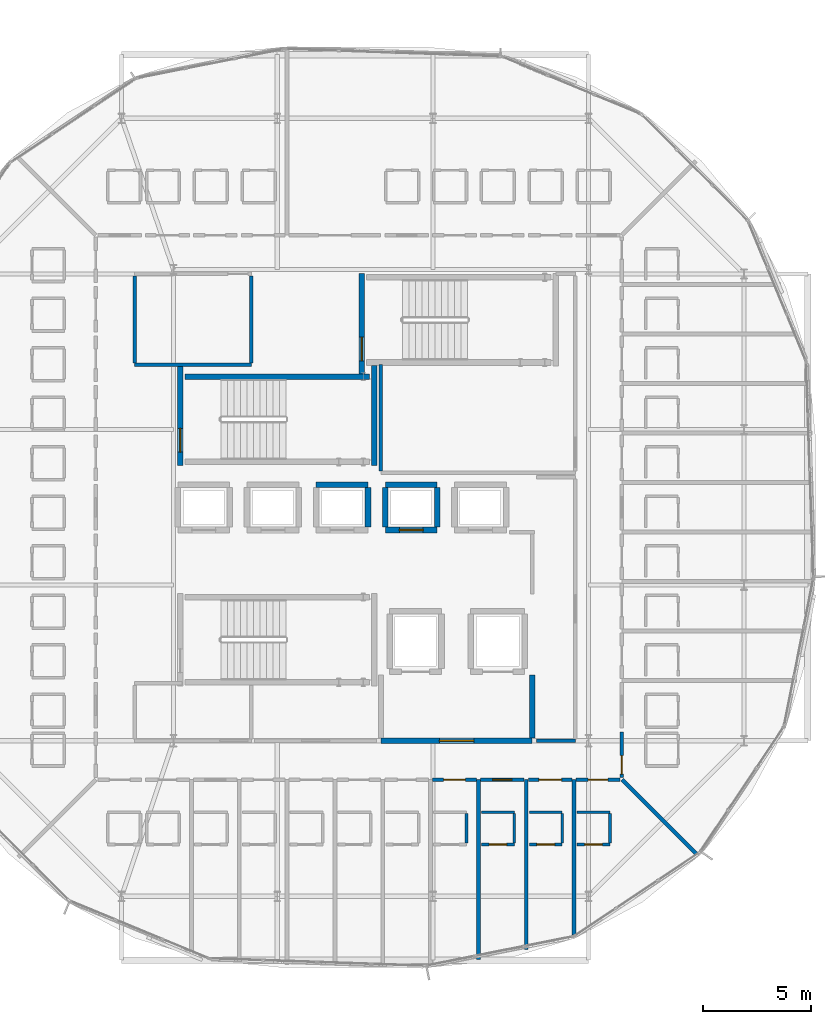
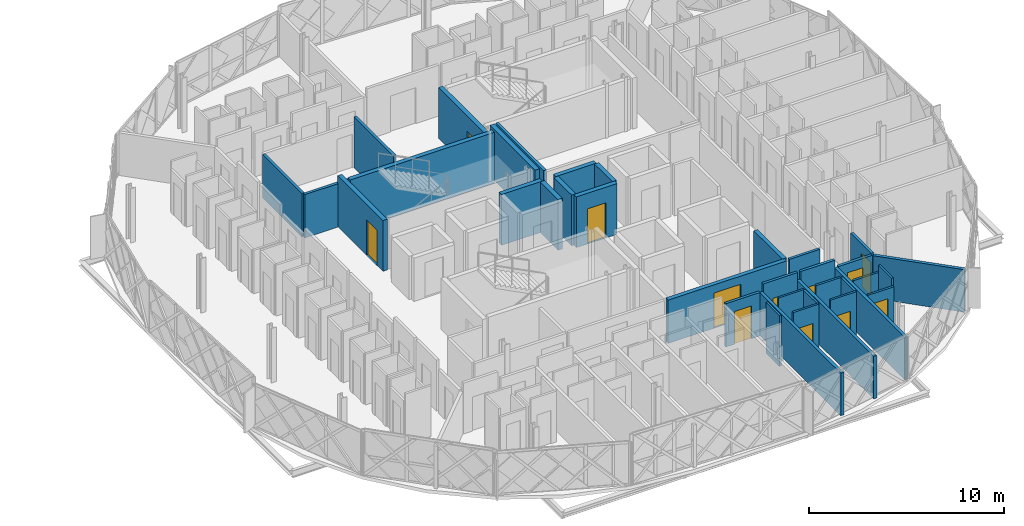
# One storey, part 16 of 25: 36 walls, 12 doors, 12 openings.
"""IFC4 building model written with IfcOpenShell, lengths in metres."""

from ifc_helpers import new_model, si_unit, direction, frame, frame_2d, origin, place, context, subcontext, project, spatial, rectangle, extrude, material, layer, layer_set, type_object, element, fill, save


model = new_model("IFC4")

# Units and contexts
model_context = context("Model", 3, precision=1e-05, world=origin(), true_north=direction((0.0, 1.0)))
body_context = subcontext(model_context, "Body", "Model", "MODEL_VIEW")
ifc_project = project(units=[si_unit("LENGTHUNIT", "METRE"), si_unit("AREAUNIT", "SQUARE_METRE"), si_unit("VOLUMEUNIT", "CUBIC_METRE"), si_unit("PLANEANGLEUNIT", "RADIAN"), si_unit("MASSUNIT", "GRAM", prefix="KILO")], contexts=[model_context])

# Site, building, storey
site_placement = place(None, origin())
site = spatial("IfcSite", under=ifc_project, at=site_placement, CompositionType="ELEMENT")
building_placement = place(site_placement, origin())
building = spatial("IfcBuilding", under=site, at=building_placement, Name="Zevrakil Square Congress Hotel", CompositionType="ELEMENT")
storey_placement = place(building_placement, frame((0.0, 0.0, 28.300048828125)))
storey = spatial("IfcBuildingStorey", under=building, at=storey_placement, Name="L08", CompositionType="ELEMENT", Elevation=28.300048828125)

# Wall, opening, door
ifc_material_1 = material(Name="Concrete C35/45", Category="concrete")
ifc_layer_1 = layer(ifc_material_1, 0.239990234375)
ifc_layer_set_1 = layer_set([ifc_layer_1], Name="Concrete C35/45")
wall_type_1 = type_object("IfcWallType", Name="WAL-COMP-240", PredefinedType="SOLIDWALL", material=ifc_layer_set_1)
wall_1_placement = place(storey_placement, frame((146.39990234375, 16.800048828125, 0.0), z_axis=(0.0, 0.0, 1.0), x_axis=(1.0, 0.0, 0.0)))
wall_1 = element("IfcWall", 1, at=wall_1_placement, inside=storey, type_object=wall_type_1, Name="L08 interior partition PW-L08-1111", PredefinedType="SOLIDWALL", context=body_context, shape_type="SweptSolid", body=[
    extrude(rectangle(XDim=7.0, YDim=0.239990234375, at=frame_2d((3.5, 0.0))), origin(), (0.0, 0.0, 1.0), 2.7099609375),
])
opening_1_placement = place(wall_1_placement, frame((2.699951171875, 0.0, 0.0)))
opening_1 = element("IfcOpeningElement", 2, at=opening_1_placement, cuts=wall_1, Name="Opening FD90-D", PredefinedType="OPENING", context=body_context, shape_type="SweptSolid", body=[
    extrude(rectangle(XDim=1.60009765625, YDim=2.199951171875, at=frame_2d((0.800048828125, 1.10009765625))), frame((0.0, 0.1298828125, 0.0), z_axis=(0.0, -1.0, 0.0), x_axis=(1.0, 0.0, 0.0)), (0.0, 0.0, 1.0), 0.260009765625),
])
ifc_material_2 = material(Name="Steel S355 Double Fire Door", Category="steel")
door_type_1 = type_object("IfcDoorType", Name="DOR-FFLOB-FD90-160", OperationType="NOTDEFINED", PredefinedType="DOOR", material=ifc_material_2)
door_1_placement = place(opening_1_placement, origin())
door_1 = element("IfcDoor", 3, at=door_1_placement, inside=storey, type_object=door_type_1, Name="L08 interior door 436", OperationType="DOUBLE_DOOR_SINGLE_SWING", OverallHeight=2.199951171875, OverallWidth=1.60009765625, PredefinedType="DOOR", context=body_context, shape_type="SweptSolid", body=[
    extrude(rectangle(XDim=1.60009765625, YDim=2.199951171875, at=frame_2d((0.800048828125, 1.10009765625))), frame((0.0, 0.02490234375, 0.0), z_axis=(0.0, -1.0, 0.0), x_axis=(1.0, 0.0, 0.0)), (0.0, 0.0, 1.0), 0.050048828125),
])
fill(opening_1, door_1)

# Walls
wall_2_placement = place(storey_placement, frame((153.39990234375, 16.925048828125, 0.0), z_axis=(0.0, 0.0, 1.0), x_axis=(0.0, 1.0, 0.0)))
element("IfcWall", 4, at=wall_2_placement, inside=storey, type_object=wall_type_1, Name="L08 interior partition PW-L08-1113", PredefinedType="SOLIDWALL", context=body_context, shape_type="SweptSolid", body=[
    extrude(rectangle(XDim=2.925048828125, YDim=0.239990234375, at=frame_2d((1.46240234375, 0.0))), origin(), (0.0, 0.0, 1.0), 2.7099609375),
])
ifc_material_3 = material(Name="Gypsum Acoustic Stud Partition")
ifc_layer_2 = layer(ifc_material_3, 0.159912109375)
ifc_layer_set_2 = layer_set([ifc_layer_2], Name="Gypsum Acoustic Stud Partition")
wall_type_2 = type_object("IfcWallType", Name="WAL-CORR-160", PredefinedType="PARTITIONING", material=ifc_layer_set_2)
wall_3_placement = place(storey_placement, frame((135.0, 34.199951171875, 0.0), z_axis=(0.0, 0.0, 1.0), x_axis=(1.0, 0.0, 0.0)))
element("IfcWall", 5, at=wall_3_placement, inside=storey, type_object=wall_type_2, Name="L08 interior partition PW-L08-1119", PredefinedType="PARTITIONING", context=body_context, shape_type="SweptSolid", body=[
    extrude(rectangle(XDim=5.39990234375, YDim=0.159912109375, at=frame_2d((2.699951171875, 0.0))), origin(), (0.0, 0.0, 1.0), 2.7099609375),
])
wall_4_placement = place(storey_placement, frame((135.0, 34.284912109375, 0.0), z_axis=(0.0, 0.0, 1.0), x_axis=(0.0, 1.0, 0.0)))
element("IfcWall", 6, at=wall_4_placement, inside=storey, type_object=wall_type_2, Name="L08 interior partition PW-L08-1121", PredefinedType="PARTITIONING", context=body_context, shape_type="SweptSolid", body=[
    extrude(rectangle(XDim=4.030029296875, YDim=0.159912109375, at=frame_2d((2.01513671875, 0.0))), origin(), (0.0, 0.0, 1.0), 2.7099609375),
])
wall_5_placement = place(storey_placement, frame((140.39990234375, 34.284912109375, 0.0), z_axis=(0.0, 0.0, 1.0), x_axis=(0.0, 1.0, 0.0)))
element("IfcWall", 7, at=wall_5_placement, inside=storey, type_object=wall_type_2, Name="L08 interior partition PW-L08-1122", PredefinedType="PARTITIONING", context=body_context, shape_type="SweptSolid", body=[
    extrude(rectangle(XDim=4.030029296875, YDim=0.159912109375, at=frame_2d((2.01513671875, 0.0))), origin(), (0.0, 0.0, 1.0), 3.175048828125),
])
wall_6_placement = place(storey_placement, frame((146.39990234375, 29.284912109375, 0.0), z_axis=(0.0, 0.0, 1.0), x_axis=(0.0, 1.0, 0.0)))
element("IfcWall", 8, at=wall_6_placement, inside=storey, type_object=wall_type_2, Name="L08 interior partition PW-L08-1124", PredefinedType="PARTITIONING", context=body_context, shape_type="SweptSolid", body=[
    extrude(rectangle(XDim=4.9150390625, YDim=0.159912109375, at=frame_2d((2.45751953125, 0.0))), origin(), (0.0, 0.0, 1.0), 3.175048828125),
])
wall_7_placement = place(storey_placement, frame((153.60009765625, 16.800048828125, 0.0), z_axis=(0.0, 0.0, 1.0), x_axis=(1.0, 0.0, 0.0)))
element("IfcWall", 9, at=wall_7_placement, inside=storey, type_object=wall_type_2, Name="L08 interior partition PW-L08-1127", PredefinedType="PARTITIONING", context=body_context, shape_type="SweptSolid", body=[
    extrude(rectangle(XDim=1.7998046875, YDim=0.159912109375, at=frame_2d((0.89990234375, 0.0))), origin(), (0.0, 0.0, 1.0), 2.7099609375),
])

# Wall, opening, door
wall_8_placement = place(storey_placement, frame((148.79052734375, 15.0, 0.0), z_axis=(0.0, 0.0, 1.0), x_axis=(1.0, 0.0, 0.0)))
wall_8 = element("IfcWall", 10, at=wall_8_placement, inside=storey, type_object=wall_type_2, Name="L08 interior partition PW-L08-1170", PredefinedType="PARTITIONING", context=body_context, shape_type="SweptSolid", body=[
    extrude(rectangle(XDim=2.023681640625, YDim=0.159912109375, at=frame_2d((1.01171875, 0.0))), origin(), (0.0, 0.0, 1.0), 2.7099609375),
])
opening_2_placement = place(wall_8_placement, frame((0.50927734375, 0.0, 0.0)))
opening_2 = element("IfcOpeningElement", 11, at=opening_2_placement, cuts=wall_8, Name="Opening ID-G07", PredefinedType="OPENING", context=body_context, shape_type="SweptSolid", body=[
    extrude(rectangle(XDim=1.0048828125, YDim=2.050048828125, at=frame_2d((0.50244140625, 1.02490234375))), frame((0.0, 0.08984375, 0.0), z_axis=(0.0, -1.0, 0.0), x_axis=(1.0, 0.0, 0.0)), (0.0, 0.0, 1.0), 0.179931640625),
])
ifc_material_4 = material(Name="Acoustic Timber Fire Door", Category="wood")
door_type_2 = type_object("IfcDoorType", Name="DOR-INT-G07", OperationType="NOTDEFINED", PredefinedType="DOOR", material=ifc_material_4)
door_2_placement = place(opening_2_placement, origin())
door_2 = element("IfcDoor", 12, at=door_2_placement, inside=storey, type_object=door_type_2, Name="L08 interior door 457", OperationType="SINGLE_SWING_LEFT", OverallHeight=2.050048828125, OverallWidth=1.0048828125, PredefinedType="DOOR", context=body_context, shape_type="SweptSolid", body=[
    extrude(rectangle(XDim=1.0048828125, YDim=2.050048828125, at=frame_2d((0.50244140625, 1.02490234375))), frame((0.0, 0.02490234375, 0.0), z_axis=(0.0, -1.0, 0.0), x_axis=(1.0, 0.0, 0.0)), (0.0, 0.0, 1.0), 0.050048828125),
])
fill(opening_2, door_2)

wall_9_placement = place(storey_placement, frame((151.004150390625, 15.0, 0.0), z_axis=(0.0, 0.0, 1.0), x_axis=(1.0, 0.0, 0.0)))
wall_9 = element("IfcWall", 13, at=wall_9_placement, inside=storey, type_object=wall_type_2, Name="L08 interior partition PW-L08-1175", PredefinedType="PARTITIONING", context=body_context, shape_type="SweptSolid", body=[
    extrude(rectangle(XDim=2.0234375, YDim=0.159912109375, at=frame_2d((1.01171875, 0.0))), origin(), (0.0, 0.0, 1.0), 3.175048828125),
])
opening_3_placement = place(wall_9_placement, frame((0.56787109375, 0.0, 0.0)))
opening_3 = element("IfcOpeningElement", 14, at=opening_3_placement, cuts=wall_9, Name="Opening ID-H04", PredefinedType="OPENING", context=body_context, shape_type="SweptSolid", body=[
    extrude(rectangle(XDim=0.887939453125, YDim=2.070068359375, at=frame_2d((0.44384765625, 1.03515625))), frame((0.0, 0.08984375, 0.0), z_axis=(0.0, -1.0, 0.0), x_axis=(1.0, 0.0, 0.0)), (0.0, 0.0, 1.0), 0.179931640625),
])
ifc_material_5 = material(Name="Acoustic Timber Fire Door", Category="wood")
door_type_3 = type_object("IfcDoorType", Name="DOR-INT-H04", OperationType="NOTDEFINED", PredefinedType="DOOR", material=ifc_material_5)
door_3_placement = place(opening_3_placement, origin())
door_3 = element("IfcDoor", 15, at=door_3_placement, inside=storey, type_object=door_type_3, Name="L08 interior door 459", OperationType="SINGLE_SWING_LEFT", OverallHeight=2.070068359375, OverallWidth=0.887939453125, PredefinedType="DOOR", context=body_context, shape_type="SweptSolid", body=[
    extrude(rectangle(XDim=0.887939453125, YDim=2.070068359375, at=frame_2d((0.44384765625, 1.03515625))), frame((0.0, 0.02490234375, 0.0), z_axis=(0.0, -1.0, 0.0), x_axis=(1.0, 0.0, 0.0)), (0.0, 0.0, 1.0), 0.050048828125),
])
fill(opening_3, door_3)

wall_10_placement = place(storey_placement, frame((153.2177734375, 15.0, 0.0), z_axis=(0.0, 0.0, 1.0), x_axis=(1.0, 0.0, 0.0)))
wall_10 = element("IfcWall", 16, at=wall_10_placement, inside=storey, type_object=wall_type_2, Name="L08 interior partition PW-L08-1180", PredefinedType="PARTITIONING", context=body_context, shape_type="SweptSolid", body=[
    extrude(rectangle(XDim=2.023681640625, YDim=0.159912109375, at=frame_2d((1.01171875, 0.0))), origin(), (0.0, 0.0, 1.0), 3.175048828125),
])
opening_4_placement = place(wall_10_placement, frame((0.484375, 0.0, 0.0)))
opening_4 = element("IfcOpeningElement", 17, at=opening_4_placement, cuts=wall_10, Name="Opening ID-G09", PredefinedType="OPENING", context=body_context, shape_type="SweptSolid", body=[
    extrude(rectangle(XDim=1.054931640625, YDim=2.050048828125, at=frame_2d((0.52734375, 1.02490234375))), frame((0.0, 0.08984375, 0.0), z_axis=(0.0, -1.0, 0.0), x_axis=(1.0, 0.0, 0.0)), (0.0, 0.0, 1.0), 0.179931640625),
])
ifc_material_6 = material(Name="Acoustic Timber Fire Door", Category="wood")
door_type_4 = type_object("IfcDoorType", Name="DOR-INT-G09", OperationType="NOTDEFINED", PredefinedType="DOOR", material=ifc_material_6)
door_4_placement = place(opening_4_placement, origin())
door_4 = element("IfcDoor", 18, at=door_4_placement, inside=storey, type_object=door_type_4, Name="L08 interior door 461", OperationType="SINGLE_SWING_LEFT", OverallHeight=2.050048828125, OverallWidth=1.054931640625, PredefinedType="DOOR", context=body_context, shape_type="SweptSolid", body=[
    extrude(rectangle(XDim=1.054931640625, YDim=2.050048828125, at=frame_2d((0.52734375, 1.02490234375))), frame((0.0, 0.02490234375, 0.0), z_axis=(0.0, -1.0, 0.0), x_axis=(1.0, 0.0, 0.0)), (0.0, 0.0, 1.0), 0.050048828125),
])
fill(opening_4, door_4)

wall_11_placement = place(storey_placement, frame((155.431396484375, 15.0, 0.0), z_axis=(0.0, 0.0, 1.0), x_axis=(1.0, 0.0, 0.0)))
wall_11 = element("IfcWall", 19, at=wall_11_placement, inside=storey, type_object=wall_type_2, Name="L08 interior partition PW-L08-1185", PredefinedType="PARTITIONING", context=body_context, shape_type="SweptSolid", body=[
    extrude(rectangle(XDim=2.023681640625, YDim=0.159912109375, at=frame_2d((1.01171875, 0.0))), origin(), (0.0, 0.0, 1.0), 2.7099609375),
])
opening_5_placement = place(wall_11_placement, frame((0.555908203125, 0.0, 0.0)))
opening_5 = element("IfcOpeningElement", 20, at=opening_5_placement, cuts=wall_11, Name="Opening ID-H06", PredefinedType="OPENING", context=body_context, shape_type="SweptSolid", body=[
    extrude(rectangle(XDim=0.912109375, YDim=2.1298828125, at=frame_2d((0.4560546875, 1.06494140625))), frame((0.0, 0.08984375, 0.0), z_axis=(0.0, -1.0, 0.0), x_axis=(1.0, 0.0, 0.0)), (0.0, 0.0, 1.0), 0.179931640625),
])
ifc_material_7 = material(Name="Acoustic Timber Fire Door", Category="wood")
door_type_5 = type_object("IfcDoorType", Name="DOR-INT-H06", OperationType="NOTDEFINED", PredefinedType="DOOR", material=ifc_material_7)
door_5_placement = place(opening_5_placement, origin())
door_5 = element("IfcDoor", 21, at=door_5_placement, inside=storey, type_object=door_type_5, Name="L08 interior door 463", OperationType="SINGLE_SWING_LEFT", OverallHeight=2.1298828125, OverallWidth=0.912109375, PredefinedType="DOOR", context=body_context, shape_type="SweptSolid", body=[
    extrude(rectangle(XDim=0.912109375, YDim=2.1298828125, at=frame_2d((0.4560546875, 1.06494140625))), frame((0.0, 0.02490234375, 0.0), z_axis=(0.0, -1.0, 0.0), x_axis=(1.0, 0.0, 0.0)), (0.0, 0.0, 1.0), 0.050048828125),
])
fill(opening_5, door_5)

wall_12_placement = place(storey_placement, frame((157.550048828125, 15.094970703125, 0.0), z_axis=(0.0, 0.0, 1.0), x_axis=(0.0, 1.0, 0.0)))
wall_12 = element("IfcWall", 22, at=wall_12_placement, inside=storey, type_object=wall_type_2, Name="L08 interior partition PW-L08-1190", PredefinedType="PARTITIONING", context=body_context, shape_type="SweptSolid", body=[
    extrude(rectangle(XDim=2.100830078125, YDim=0.159912109375, at=frame_2d((1.05029296875, 0.0))), origin(), (0.0, 0.0, 1.0), 2.7099609375),
])
opening_6_placement = place(wall_12_placement, frame((0.159912109375, 0.0, 0.0)))
opening_6 = element("IfcOpeningElement", 23, at=opening_6_placement, cuts=wall_12, Name="Opening ID-G01", PredefinedType="OPENING", context=body_context, shape_type="SweptSolid", body=[
    extrude(rectangle(XDim=0.85498046875, YDim=2.050048828125, at=frame_2d((0.427490234375, 1.02490234375))), frame((0.0, 0.08984375, 0.0), z_axis=(0.0, -1.0, 0.0), x_axis=(1.0, 0.0, 0.0)), (0.0, 0.0, 1.0), 0.179931640625),
])
ifc_material_8 = material(Name="Acoustic Timber Fire Door", Category="wood")
door_type_6 = type_object("IfcDoorType", Name="DOR-INT-G01", OperationType="NOTDEFINED", PredefinedType="DOOR", material=ifc_material_8)
door_6_placement = place(opening_6_placement, origin())
door_6 = element("IfcDoor", 24, at=door_6_placement, inside=storey, type_object=door_type_6, Name="L08 interior door 465", OperationType="SINGLE_SWING_LEFT", OverallHeight=2.050048828125, OverallWidth=0.85498046875, PredefinedType="DOOR", context=body_context, shape_type="SweptSolid", body=[
    extrude(rectangle(XDim=0.85498046875, YDim=2.050048828125, at=frame_2d((0.427490234375, 1.02490234375))), frame((0.0, 0.02490234375, 0.0), z_axis=(0.0, -1.0, 0.0), x_axis=(1.0, 0.0, 0.0)), (0.0, 0.0, 1.0), 0.050048828125),
])
fill(opening_6, door_6)

# Wall
ifc_material_9 = material(Name="Moisture-Resistant Gypsum Partition")
ifc_layer_3 = layer(ifc_material_9, 0.1201171875)
ifc_layer_set_3 = layer_set([ifc_layer_3], Name="Moisture-Resistant Gypsum Partition")
wall_type_3 = type_object("IfcWallType", Name="WAL-ENS-120", PredefinedType="PARTITIONING", material=ifc_layer_set_3)
wall_13_placement = place(storey_placement, frame((150.35546875, 12.06494140625, 0.0), z_axis=(0.0, 0.0, 1.0), x_axis=(0.0, 1.0, 0.0)))
element("IfcWall", 25, at=wall_13_placement, inside=storey, type_object=wall_type_3, Name="L08 interior partition PW-L08-1173", PredefinedType="PARTITIONING", context=body_context, shape_type="SweptSolid", body=[
    extrude(rectangle(XDim=1.3701171875, YDim=0.1201171875, at=frame_2d((0.68505859375, 0.0))), origin(), (0.0, 0.0, 1.0), 3.175048828125),
])

# Wall, opening, door
wall_14_placement = place(storey_placement, frame((151.049072265625, 12.0, 0.0), z_axis=(0.0, 0.0, 1.0), x_axis=(1.0, 0.0, 0.0)))
wall_14 = element("IfcWall", 26, at=wall_14_placement, inside=storey, type_object=wall_type_3, Name="L08 interior partition PW-L08-1176", PredefinedType="PARTITIONING", context=body_context, shape_type="SweptSolid", body=[
    extrude(rectangle(XDim=1.52001953125, YDim=0.1201171875, at=frame_2d((0.760009765625, 0.0))), origin(), (0.0, 0.0, 1.0), 3.175048828125),
])
opening_7_placement = place(wall_14_placement, frame((0.35009765625, 0.0, 0.0)))
opening_7 = element("IfcOpeningElement", 27, at=opening_7_placement, cuts=wall_14, Name="Opening ID-11", PredefinedType="OPENING", context=body_context, shape_type="SweptSolid", body=[
    extrude(rectangle(XDim=0.820068359375, YDim=2.080078125, at=frame_2d((0.41015625, 1.0400390625))), frame((0.0, 0.070068359375, 0.0), z_axis=(0.0, -1.0, 0.0), x_axis=(1.0, 0.0, 0.0)), (0.0, 0.0, 1.0), 0.14013671875),
])
ifc_material_10 = material(Name="Acoustic Timber Door", Category="wood")
door_type_7 = type_object("IfcDoorType", Name="DOR-INT-V01", OperationType="NOTDEFINED", PredefinedType="DOOR", material=ifc_material_10)
door_7_placement = place(opening_7_placement, origin())
door_7 = element("IfcDoor", 28, at=door_7_placement, inside=storey, type_object=door_type_7, Name="L08 interior door 460", OperationType="SINGLE_SWING_RIGHT", OverallHeight=2.080078125, OverallWidth=0.820068359375, PredefinedType="DOOR", context=body_context, shape_type="SweptSolid", body=[
    extrude(rectangle(XDim=0.820068359375, YDim=2.080078125, at=frame_2d((0.41015625, 1.0400390625))), frame((0.0, 0.02490234375, 0.0), z_axis=(0.0, -1.0, 0.0), x_axis=(1.0, 0.0, 0.0)), (0.0, 0.0, 1.0), 0.050048828125),
])
fill(opening_7, door_7)

# Walls
wall_15_placement = place(storey_placement, frame((151.049072265625, 13.5, 0.0), z_axis=(0.0, 0.0, 1.0), x_axis=(1.0, 0.0, 0.0)))
element("IfcWall", 29, at=wall_15_placement, inside=storey, type_object=wall_type_3, Name="L08 interior partition PW-L08-1177", PredefinedType="PARTITIONING", context=body_context, shape_type="SweptSolid", body=[
    extrude(rectangle(XDim=1.52001953125, YDim=0.1201171875, at=frame_2d((0.760009765625, 0.0))), origin(), (0.0, 0.0, 1.0), 3.175048828125),
])
wall_16_placement = place(storey_placement, frame((152.569091796875, 12.06494140625, 0.0), z_axis=(0.0, 0.0, 1.0), x_axis=(0.0, 1.0, 0.0)))
element("IfcWall", 30, at=wall_16_placement, inside=storey, type_object=wall_type_3, Name="L08 interior partition PW-L08-1178", PredefinedType="PARTITIONING", context=body_context, shape_type="SweptSolid", body=[
    extrude(rectangle(XDim=1.3701171875, YDim=0.1201171875, at=frame_2d((0.68505859375, 0.0))), origin(), (0.0, 0.0, 1.0), 3.175048828125),
])

# Wall, opening, door
wall_17_placement = place(storey_placement, frame((153.2626953125, 12.0, 0.0), z_axis=(0.0, 0.0, 1.0), x_axis=(1.0, 0.0, 0.0)))
wall_17 = element("IfcWall", 31, at=wall_17_placement, inside=storey, type_object=wall_type_3, Name="L08 interior partition PW-L08-1181", PredefinedType="PARTITIONING", context=body_context, shape_type="SweptSolid", body=[
    extrude(rectangle(XDim=1.52001953125, YDim=0.1201171875, at=frame_2d((0.760009765625, 0.0))), origin(), (0.0, 0.0, 1.0), 3.175048828125),
])
opening_8_placement = place(wall_17_placement, frame((0.35009765625, 0.0, 0.0)))
opening_8 = element("IfcOpeningElement", 32, at=opening_8_placement, cuts=wall_17, Name="Opening ID-11", PredefinedType="OPENING", context=body_context, shape_type="SweptSolid", body=[
    extrude(rectangle(XDim=0.820068359375, YDim=2.080078125, at=frame_2d((0.41015625, 1.0400390625))), frame((0.0, 0.070068359375, 0.0), z_axis=(0.0, -1.0, 0.0), x_axis=(1.0, 0.0, 0.0)), (0.0, 0.0, 1.0), 0.14013671875),
])
door_8_placement = place(opening_8_placement, origin())
door_8 = element("IfcDoor", 33, at=door_8_placement, inside=storey, type_object=door_type_7, Name="L08 interior door 462", OperationType="SINGLE_SWING_RIGHT", OverallHeight=2.080078125, OverallWidth=0.820068359375, PredefinedType="DOOR", context=body_context, shape_type="SweptSolid", body=[
    extrude(rectangle(XDim=0.820068359375, YDim=2.080078125, at=frame_2d((0.41015625, 1.0400390625))), frame((0.0, 0.02490234375, 0.0), z_axis=(0.0, -1.0, 0.0), x_axis=(1.0, 0.0, 0.0)), (0.0, 0.0, 1.0), 0.050048828125),
])
fill(opening_8, door_8)

# Walls
wall_18_placement = place(storey_placement, frame((153.2626953125, 13.5, 0.0), z_axis=(0.0, 0.0, 1.0), x_axis=(1.0, 0.0, 0.0)))
element("IfcWall", 34, at=wall_18_placement, inside=storey, type_object=wall_type_3, Name="L08 interior partition PW-L08-1182", PredefinedType="PARTITIONING", context=body_context, shape_type="SweptSolid", body=[
    extrude(rectangle(XDim=1.52001953125, YDim=0.1201171875, at=frame_2d((0.760009765625, 0.0))), origin(), (0.0, 0.0, 1.0), 3.175048828125),
])
wall_19_placement = place(storey_placement, frame((154.78271484375, 12.06494140625, 0.0), z_axis=(0.0, 0.0, 1.0), x_axis=(0.0, 1.0, 0.0)))
element("IfcWall", 35, at=wall_19_placement, inside=storey, type_object=wall_type_3, Name="L08 interior partition PW-L08-1183", PredefinedType="PARTITIONING", context=body_context, shape_type="SweptSolid", body=[
    extrude(rectangle(XDim=1.3701171875, YDim=0.1201171875, at=frame_2d((0.68505859375, 0.0))), origin(), (0.0, 0.0, 1.0), 3.175048828125),
])

# Wall, opening, door
wall_20_placement = place(storey_placement, frame((155.476318359375, 12.0, 0.0), z_axis=(0.0, 0.0, 1.0), x_axis=(1.0, 0.0, 0.0)))
wall_20 = element("IfcWall", 36, at=wall_20_placement, inside=storey, type_object=wall_type_3, Name="L08 interior partition PW-L08-1186", PredefinedType="PARTITIONING", context=body_context, shape_type="SweptSolid", body=[
    extrude(rectangle(XDim=1.52001953125, YDim=0.1201171875, at=frame_2d((0.760009765625, 0.0))), origin(), (0.0, 0.0, 1.0), 2.7099609375),
])
opening_9_placement = place(wall_20_placement, frame((0.35009765625, 0.0, 0.0)))
opening_9 = element("IfcOpeningElement", 37, at=opening_9_placement, cuts=wall_20, Name="Opening ID-11", PredefinedType="OPENING", context=body_context, shape_type="SweptSolid", body=[
    extrude(rectangle(XDim=0.820068359375, YDim=2.080078125, at=frame_2d((0.41015625, 1.0400390625))), frame((0.0, 0.070068359375, 0.0), z_axis=(0.0, -1.0, 0.0), x_axis=(1.0, 0.0, 0.0)), (0.0, 0.0, 1.0), 0.14013671875),
])
door_9_placement = place(opening_9_placement, origin())
door_9 = element("IfcDoor", 38, at=door_9_placement, inside=storey, type_object=door_type_7, Name="L08 interior door 464", OperationType="SINGLE_SWING_RIGHT", OverallHeight=2.080078125, OverallWidth=0.820068359375, PredefinedType="DOOR", context=body_context, shape_type="SweptSolid", body=[
    extrude(rectangle(XDim=0.820068359375, YDim=2.080078125, at=frame_2d((0.41015625, 1.0400390625))), frame((0.0, 0.02490234375, 0.0), z_axis=(0.0, -1.0, 0.0), x_axis=(1.0, 0.0, 0.0)), (0.0, 0.0, 1.0), 0.050048828125),
])
fill(opening_9, door_9)

# Walls
wall_21_placement = place(storey_placement, frame((155.476318359375, 13.5, 0.0), z_axis=(0.0, 0.0, 1.0), x_axis=(1.0, 0.0, 0.0)))
element("IfcWall", 39, at=wall_21_placement, inside=storey, type_object=wall_type_3, Name="L08 interior partition PW-L08-1187", PredefinedType="PARTITIONING", context=body_context, shape_type="SweptSolid", body=[
    extrude(rectangle(XDim=1.52001953125, YDim=0.1201171875, at=frame_2d((0.760009765625, 0.0))), origin(), (0.0, 0.0, 1.0), 2.7099609375),
])
wall_22_placement = place(storey_placement, frame((156.996337890625, 12.06494140625, 0.0), z_axis=(0.0, 0.0, 1.0), x_axis=(0.0, 1.0, 0.0)))
element("IfcWall", 40, at=wall_22_placement, inside=storey, type_object=wall_type_3, Name="L08 interior partition PW-L08-1188", PredefinedType="PARTITIONING", context=body_context, shape_type="SweptSolid", body=[
    extrude(rectangle(XDim=1.3701171875, YDim=0.1201171875, at=frame_2d((0.68505859375, 0.0))), origin(), (0.0, 0.0, 1.0), 3.175048828125),
])
ifc_material_11 = material(Name="Gypsum Twin-Stud Party Partition")
ifc_layer_4 = layer(ifc_material_11, 0.179931640625)
ifc_layer_set_4 = layer_set([ifc_layer_4], Name="Gypsum Twin-Stud Party Partition")
wall_type_4 = type_object("IfcWallType", Name="WAL-PARTY-180", PredefinedType="PARTITIONING", material=ifc_layer_set_4)
wall_23_placement = place(storey_placement, frame((150.9091796875, 6.67919921875, 0.0), z_axis=(0.0, 0.0, 1.0), x_axis=(0.0, 1.0, 0.0)))
element("IfcWall", 41, at=wall_23_placement, inside=storey, type_object=wall_type_4, Name="L08 interior partition PW-L08-1174", PredefinedType="PARTITIONING", context=body_context, shape_type="SweptSolid", body=[
    extrude(rectangle(XDim=8.32080078125, YDim=0.179931640625, at=frame_2d((4.160400390625, 0.0))), origin(), (0.0, 0.0, 1.0), 2.659912109375),
])
wall_24_placement = place(storey_placement, frame((153.122802734375, 7.14111328125, 0.0), z_axis=(0.0, 0.0, 1.0), x_axis=(0.0, 1.0, 0.0)))
element("IfcWall", 42, at=wall_24_placement, inside=storey, type_object=wall_type_4, Name="L08 interior partition PW-L08-1179", PredefinedType="PARTITIONING", context=body_context, shape_type="SweptSolid", body=[
    extrude(rectangle(XDim=7.85888671875, YDim=0.179931640625, at=frame_2d((3.929443359375, 0.0))), origin(), (0.0, 0.0, 1.0), 2.659912109375),
])
wall_25_placement = place(storey_placement, frame((155.33642578125, 7.822021484375, 0.0), z_axis=(0.0, 0.0, 1.0), x_axis=(0.0, 1.0, 0.0)))
element("IfcWall", 43, at=wall_25_placement, inside=storey, type_object=wall_type_4, Name="L08 interior partition PW-L08-1184", PredefinedType="PARTITIONING", context=body_context, shape_type="SweptSolid", body=[
    extrude(rectangle(XDim=7.177978515625, YDim=0.179931640625, at=frame_2d((3.5888671875, 0.0))), origin(), (0.0, 0.0, 1.0), 2.659912109375),
])
wall_26_placement = place(storey_placement, frame((157.550048828125, 15.0, 0.0), z_axis=(0.0, 0.0, 1.0), x_axis=(0.707106781187, -0.707106781187, 0.0)))
element("IfcWall", 44, at=wall_26_placement, inside=storey, type_object=wall_type_4, Name="L08 interior partition PW-L08-1189", PredefinedType="PARTITIONING", context=body_context, shape_type="SweptSolid", body=[
    extrude(rectangle(XDim=4.844482421875, YDim=0.179931640625, at=frame_2d((2.42236328125, 0.0))), origin(), (0.0, 0.0, 1.0), 2.659912109375),
])

# Wall, opening, door
ifc_material_12 = material(Name="Concrete C40/50", Category="concrete")
ifc_layer_5 = layer(ifc_material_12, 0.260009765625)
ifc_layer_set_5 = layer_set([ifc_layer_5], Name="Concrete C40/50")
wall_type_5 = type_object("IfcWallType", Name="WAL-SHAFT-260", PredefinedType="SHEAR", material=ifc_layer_set_5)
wall_27_placement = place(storey_placement, frame((137.10498046875, 29.5400390625, 0.0), z_axis=(0.0, 0.0, 1.0), x_axis=(0.0, 1.0, 0.0)))
wall_27 = element("IfcWall", 45, at=wall_27_placement, inside=storey, type_object=wall_type_5, Name="L08 ST02 stair shaft W wall", PredefinedType="SHEAR", context=body_context, shape_type="SweptSolid", body=[
    extrude(rectangle(XDim=4.635009765625, YDim=0.260009765625, at=frame_2d((2.3173828125, 0.0))), origin(), (0.0, 0.0, 1.0), 3.175048828125),
])
opening_10_placement = place(wall_27_placement, frame((0.610107421875, 0.0, 0.0)))
opening_10 = element("IfcOpeningElement", 46, at=opening_10_placement, cuts=wall_27, Name="Opening SD-ST02", PredefinedType="OPENING", context=body_context, shape_type="SweptSolid", body=[
    extrude(rectangle(XDim=1.10009765625, YDim=2.199951171875, at=frame_2d((0.550048828125, 1.10009765625))), frame((0.0, 0.14013671875, 0.0), z_axis=(0.0, -1.0, 0.0), x_axis=(1.0, 0.0, 0.0)), (0.0, 0.0, 1.0), 0.280029296875),
])
ifc_material_13 = material(Name="Steel S355 Fire-Rated Door", Category="steel")
door_type_8 = type_object("IfcDoorType", Name="DOR-STAIR-FD90-110", OperationType="NOTDEFINED", PredefinedType="DOOR", material=ifc_material_13)
door_10_placement = place(opening_10_placement, origin())
door_10 = element("IfcDoor", 47, at=door_10_placement, inside=storey, type_object=door_type_8, Name="L08 ST02 protected stair fire door", OperationType="SINGLE_SWING_LEFT", OverallHeight=2.199951171875, OverallWidth=1.10009765625, PredefinedType="DOOR", context=body_context, shape_type="SweptSolid", body=[
    extrude(rectangle(XDim=1.10009765625, YDim=2.199951171875, at=frame_2d((0.550048828125, 1.10009765625))), frame((0.0, 0.02490234375, 0.0), z_axis=(0.0, -1.0, 0.0), x_axis=(1.0, 0.0, 0.0)), (0.0, 0.0, 1.0), 0.050048828125),
])
fill(opening_10, door_10)

# Walls
wall_28_placement = place(storey_placement, frame((146.094970703125, 29.5400390625, 0.0), z_axis=(0.0, 0.0, 1.0), x_axis=(0.0, 1.0, 0.0)))
element("IfcWall", 48, at=wall_28_placement, inside=storey, type_object=wall_type_5, Name="L08 ST02 stair shaft E wall", PredefinedType="SHEAR", context=body_context, shape_type="SweptSolid", body=[
    extrude(rectangle(XDim=4.635009765625, YDim=0.260009765625, at=frame_2d((2.3173828125, 0.0))), origin(), (0.0, 0.0, 1.0), 3.175048828125),
])
wall_29_placement = place(storey_placement, frame((137.340087890625, 33.64501953125, 0.0), z_axis=(0.0, 0.0, 1.0), x_axis=(1.0, 0.0, 0.0)))
element("IfcWall", 49, at=wall_29_placement, inside=storey, type_object=wall_type_5, Name="L08 ST02 stair shaft N wall", PredefinedType="SHEAR", context=body_context, shape_type="SweptSolid", body=[
    extrude(rectangle(XDim=8.52001953125, YDim=0.260009765625, at=frame_2d((4.260009765625, 0.0))), origin(), (0.0, 0.0, 1.0), 3.175048828125),
])

# Wall, opening, door
wall_30_placement = place(storey_placement, frame((145.5048828125, 33.764892578125, 0.0), z_axis=(0.0, 0.0, 1.0), x_axis=(0.0, 1.0, 0.0)))
wall_30 = element("IfcWall", 50, at=wall_30_placement, inside=storey, type_object=wall_type_5, Name="L08 ST03 stair shaft W wall", PredefinedType="SHEAR", context=body_context, shape_type="SweptSolid", body=[
    extrude(rectangle(XDim=4.64501953125, YDim=0.260009765625, at=frame_2d((2.322509765625, 0.0))), origin(), (0.0, 0.0, 1.0), 3.175048828125),
])
opening_11_placement = place(wall_30_placement, frame((0.610107421875, 0.0, 0.0)))
opening_11 = element("IfcOpeningElement", 51, at=opening_11_placement, cuts=wall_30, Name="Opening SD-ST03", PredefinedType="OPENING", context=body_context, shape_type="SweptSolid", body=[
    extrude(rectangle(XDim=1.10009765625, YDim=2.199951171875, at=frame_2d((0.550048828125, 1.10009765625))), frame((0.0, 0.14013671875, 0.0), z_axis=(0.0, -1.0, 0.0), x_axis=(1.0, 0.0, 0.0)), (0.0, 0.0, 1.0), 0.280029296875),
])
door_11_placement = place(opening_11_placement, origin())
door_11 = element("IfcDoor", 52, at=door_11_placement, inside=storey, type_object=door_type_8, Name="L08 ST03 protected stair fire door", OperationType="SINGLE_SWING_LEFT", OverallHeight=2.199951171875, OverallWidth=1.10009765625, PredefinedType="DOOR", context=body_context, shape_type="SweptSolid", body=[
    extrude(rectangle(XDim=1.10009765625, YDim=2.199951171875, at=frame_2d((0.550048828125, 1.10009765625))), frame((0.0, 0.02490234375, 0.0), z_axis=(0.0, -1.0, 0.0), x_axis=(1.0, 0.0, 0.0)), (0.0, 0.0, 1.0), 0.050048828125),
])
fill(opening_11, door_11)

# Walls
wall_31_placement = place(storey_placement, frame((143.39990234375, 28.64990234375, 0.0), z_axis=(0.0, 0.0, 1.0), x_axis=(1.0, 0.0, 0.0)))
element("IfcWall", 53, at=wall_31_placement, inside=storey, type_object=wall_type_5, Name="L08 HL3 lift shaft wall", PredefinedType="SHEAR", context=body_context, shape_type="SweptSolid", body=[
    extrude(rectangle(XDim=2.400146484375, YDim=0.260009765625, at=frame_2d((1.2001953125, 0.0))), origin(), (0.0, 0.0, 1.0), 3.175048828125),
])
wall_32_placement = place(storey_placement, frame((145.800048828125, 26.68994140625, 0.0), z_axis=(0.0, 0.0, 1.0), x_axis=(0.0, 1.0, 0.0)))
element("IfcWall", 54, at=wall_32_placement, inside=storey, type_object=wall_type_5, Name="L08 HL3 lift shaft wall", PredefinedType="SHEAR", context=body_context, shape_type="SweptSolid", body=[
    extrude(rectangle(XDim=1.820068359375, YDim=0.260009765625, at=frame_2d((0.91015625, 0.0))), origin(), (0.0, 0.0, 1.0), 3.175048828125),
])

# Wall, opening, door
wall_33_placement = place(storey_placement, frame((146.60009765625, 26.550048828125, 0.0), z_axis=(0.0, 0.0, 1.0), x_axis=(1.0, 0.0, 0.0)))
wall_33 = element("IfcWall", 55, at=wall_33_placement, inside=storey, type_object=wall_type_5, Name="L08 HL4 lift shaft wall", PredefinedType="SHEAR", context=body_context, shape_type="SweptSolid", body=[
    extrude(rectangle(XDim=2.39990234375, YDim=0.260009765625, at=frame_2d((1.199951171875, 0.0))), origin(), (0.0, 0.0, 1.0), 3.175048828125),
])
opening_12_placement = place(wall_33_placement, frame((0.64990234375, 0.0, 0.0)))
opening_12 = element("IfcOpeningElement", 56, at=opening_12_placement, cuts=wall_33, Name="Opening LD-HL4", PredefinedType="OPENING", context=body_context, shape_type="SweptSolid", body=[
    extrude(rectangle(XDim=1.10009765625, YDim=2.199951171875, at=frame_2d((0.550048828125, 1.10009765625))), frame((0.0, 0.14013671875, 0.0), z_axis=(0.0, -1.0, 0.0), x_axis=(1.0, 0.0, 0.0)), (0.0, 0.0, 1.0), 0.280029296875),
])
ifc_material_14 = material(Name="Stainless Steel Sliding Lift Landing Door", Category="steel")
door_type_9 = type_object("IfcDoorType", Name="DOR-LIFT-LD110", OperationType="NOTDEFINED", PredefinedType="DOOR", material=ifc_material_14)
door_12_placement = place(opening_12_placement, origin())
door_12 = element("IfcDoor", 57, at=door_12_placement, inside=storey, type_object=door_type_9, Name="L08 HL4 sliding lift landing door", OperationType="SLIDING_TO_RIGHT", OverallHeight=2.199951171875, OverallWidth=1.10009765625, PredefinedType="DOOR", context=body_context, shape_type="SweptSolid", body=[
    extrude(rectangle(XDim=1.10009765625, YDim=2.199951171875, at=frame_2d((0.550048828125, 1.10009765625))), frame((0.0, 0.02490234375, 0.0), z_axis=(0.0, -1.0, 0.0), x_axis=(1.0, 0.0, 0.0)), (0.0, 0.0, 1.0), 0.050048828125),
])
fill(opening_12, door_12)

# Walls
wall_34_placement = place(storey_placement, frame((146.60009765625, 28.64990234375, 0.0), z_axis=(0.0, 0.0, 1.0), x_axis=(1.0, 0.0, 0.0)))
element("IfcWall", 58, at=wall_34_placement, inside=storey, type_object=wall_type_5, Name="L08 HL4 lift shaft wall", PredefinedType="SHEAR", context=body_context, shape_type="SweptSolid", body=[
    extrude(rectangle(XDim=2.39990234375, YDim=0.260009765625, at=frame_2d((1.199951171875, 0.0))), origin(), (0.0, 0.0, 1.0), 3.175048828125),
])
for number, where, z_axis, x_axis, name in (
    (59, (146.60009765625, 26.68994140625, 0.0), (0.0, 0.0, 1.0), (0.0, 1.0, 0.0), "L08 HL4 lift shaft wall"),
    (60, (149.0, 26.68994140625, 0.0), (0.0, 0.0, 1.0), (0.0, 1.0, 0.0), "L08 HL4 lift shaft wall"),
):
    element("IfcWall", number, at=place(storey_placement, frame(where, z_axis=z_axis, x_axis=x_axis)), inside=storey, type_object=wall_type_5, Name=name, PredefinedType="SHEAR", context=body_context, shape_type="SweptSolid", body=[
        extrude(rectangle(XDim=1.820068359375, YDim=0.260009765625, at=frame_2d((0.91015625, 0.0))), origin(), (0.0, 0.0, 1.0), 3.175048828125),
    ])

save(model, "model.ifc")
